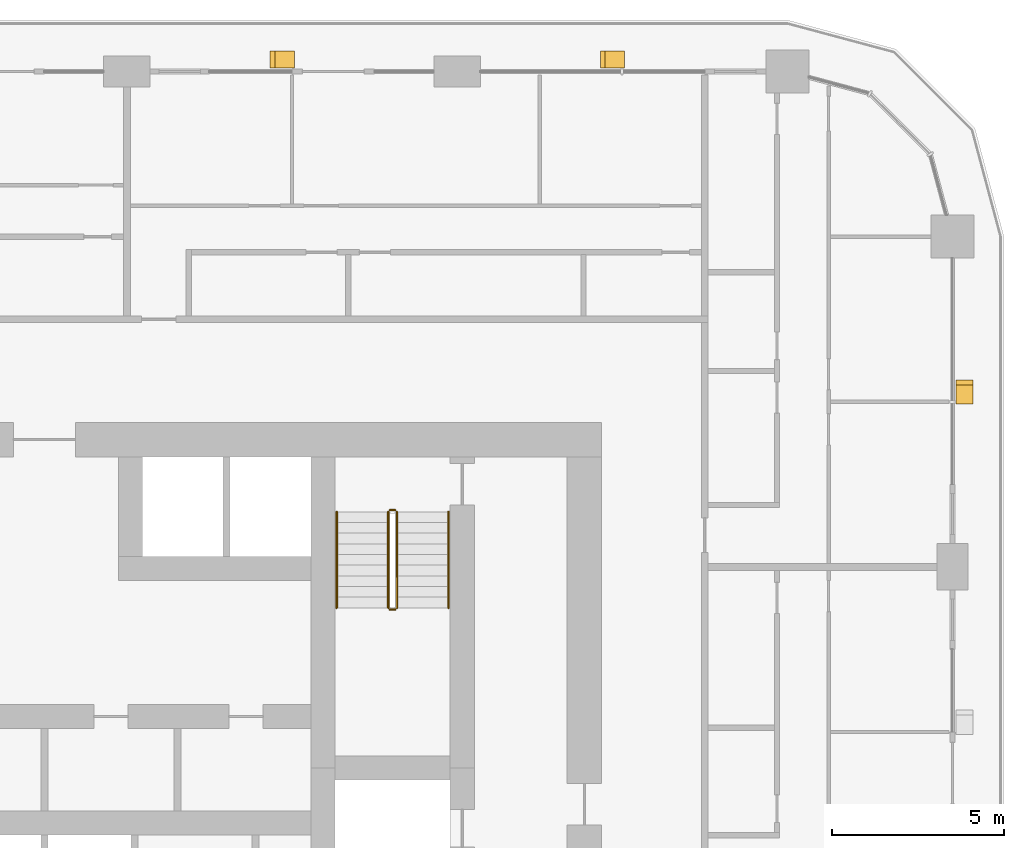
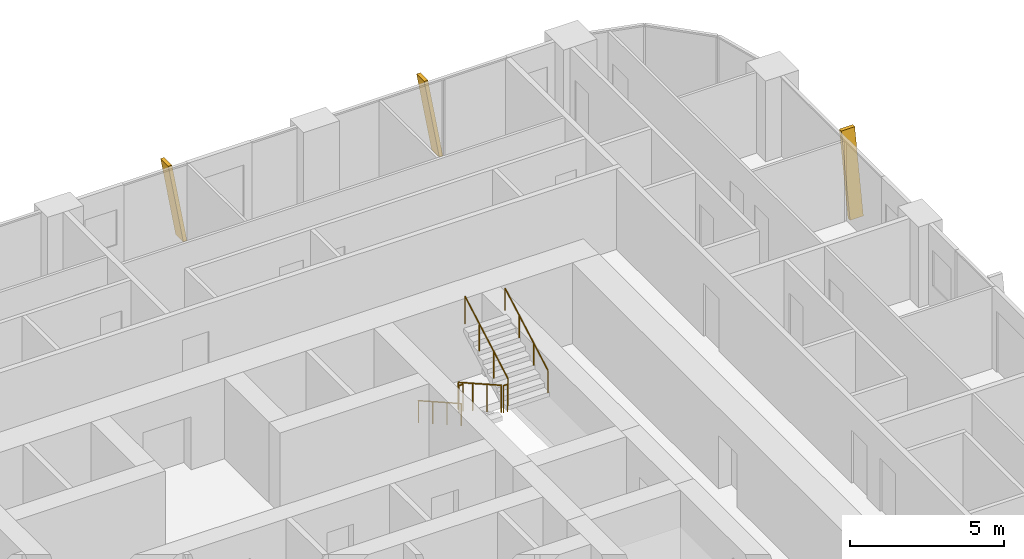
# One storey, part 21 of 21: 6 railings, 3 shading devices.
"""IFC4 building model written with IfcOpenShell, lengths in metres."""

import ifcopenshell
import ifcopenshell.guid

model = None  # the IFC model being written
_history = None  # IfcOwnerHistory: only IFC2X3 demands one
_inside = {}  # id of a spatial element -> (the spatial element, [elements in it])
_under = {}  # id of a project, library or spatial element -> (it, [spatial elements below it])
_declared = {}  # id of a project -> (the project, [libraries it declares])
_typed = {}  # id of a type object -> (the type object, [elements of that type])
_made_of = {}  # id of a material, layer set ... -> (it, [elements and type objects made of it])


def new_model(schema):
    """Start an empty IFC model of exactly this schema.

    Asked for "IFC4X3", IfcOpenShell would pick the latest addendum, in which some entities
    have other attributes; the version numbers below select the first issue.
    IFC2X3 requires an IfcOwnerHistory on every rooted entity: one is made here for all.
    """
    global model, _history
    if schema == "IFC4X3":
        model = ifcopenshell.file(schema_version=(4, 3, 0, 0))
    else:
        model = ifcopenshell.file(schema=schema)
    _inside.clear()
    _under.clear()
    _declared.clear()
    _typed.clear()
    _made_of.clear()
    _history = None
    if model.schema == "IFC2X3":
        org = make("IfcOrganization", Name="unknown")
        user = make(
            "IfcPersonAndOrganization",
            ThePerson=make("IfcPerson", FamilyName="unknown"),
            TheOrganization=org,
        )
        app = make(
            "IfcApplication",
            ApplicationDeveloper=org,
            Version="unknown",
            ApplicationFullName="unknown",
            ApplicationIdentifier="unknown",
        )
        _history = make(
            "IfcOwnerHistory",
            OwningUser=user,
            OwningApplication=app,
            ChangeAction="ADDED",
            CreationDate=0,
        )
    return model


def make(cls, **values):
    """One entity of the class cls with the attributes given. An attribute that is None is left unset."""
    return model.create_entity(
        cls, **{name: value for name, value in values.items() if value is not None}
    )


def rooted(cls, **values):
    """An entity with a GlobalId (a new one), such as an element, a storey or a relation."""
    return make(cls, GlobalId=ifcopenshell.guid.new(), OwnerHistory=_history, **values)


def si_unit(unit_type, name, prefix=None):
    """IfcSIUnit, for example si_unit("LENGTHUNIT", "METRE", prefix="MILLI")."""
    return make("IfcSIUnit", UnitType=unit_type, Prefix=prefix, Name=name)


def assignment(units):
    """IfcUnitAssignment: the units of a project."""
    return None if units is None else make("IfcUnitAssignment", Units=units)


def point(xyz):
    """IfcCartesianPoint."""
    return None if xyz is None else make("IfcCartesianPoint", Coordinates=xyz)


def direction(xyz):
    """IfcDirection."""
    return None if xyz is None else make("IfcDirection", DirectionRatios=xyz)


def frame(location, z_axis=None, x_axis=None):
    """IfcAxis2Placement3D, a coordinate frame: its origin and axes. An axis left out is left unset."""
    return make(
        "IfcAxis2Placement3D",
        Location=point(location),
        Axis=direction(z_axis),
        RefDirection=direction(x_axis),
    )


def frame_2d(location, x_axis=None):
    """IfcAxis2Placement2D, a coordinate frame in the plane: its origin and x axis."""
    return make(
        "IfcAxis2Placement2D", Location=point(location), RefDirection=direction(x_axis)
    )


def origin():
    """The frame at (0, 0, 0) with its axes left unset."""
    return frame((0.0, 0.0, 0.0))


def origin_2d():
    """The frame at (0, 0) in the plane with its x axis left unset."""
    return frame_2d((0.0, 0.0))


def place(relative_to, where):
    """IfcLocalPlacement: puts the frame where relative to a parent placement (None: the world)."""
    return make(
        "IfcLocalPlacement", PlacementRelTo=relative_to, RelativePlacement=where
    )


def context(
    kind, dimensions, precision=None, world=None, true_north=None, identifier=None
):
    """IfcGeometricRepresentationContext, for example the 3D "Model" context."""
    return make(
        "IfcGeometricRepresentationContext",
        ContextIdentifier=identifier,
        ContextType=kind,
        CoordinateSpaceDimension=dimensions,
        Precision=precision,
        WorldCoordinateSystem=world,
        TrueNorth=true_north,
    )


def subcontext(parent, identifier, kind, view, scale=None):
    """IfcGeometricRepresentationSubContext, for example "Body" below "Model"."""
    return make(
        "IfcGeometricRepresentationSubContext",
        ContextIdentifier=identifier,
        ContextType=kind,
        ParentContext=parent,
        TargetScale=scale,
        TargetView=view,
    )


def project(units=None, contexts=None):
    """IfcProject with its units and contexts."""
    return rooted(
        "IfcProject",
        Name="project",
        RepresentationContexts=contexts,
        UnitsInContext=assignment(units),
    )


def spatial(cls, under=None, at=None, **own):
    """A site, building, storey or space (cls), placed at a placement, below another one or the project."""
    s = rooted(cls, ObjectPlacement=at, **own)
    if under is not None:
        _under.setdefault(under.id(), (under, []))[1].append(s)
    return s


def polyline(points):
    """IfcPolyline through the points."""
    return make("IfcPolyline", Points=[point(p) for p in points])


def profile(cls, at=None, kind="AREA", **sizes):
    """A parametric profile (cls). Its sizes go by their IFC names, for example OverallWidth=200.0."""
    return make(cls, ProfileType=kind, Position=at, **sizes)


def circle(**sizes):
    """IfcCircleProfileDef."""
    return profile("IfcCircleProfileDef", **sizes)


def outline(outer, holes=None, kind="AREA"):
    """IfcArbitraryClosedProfileDef: a profile drawn as a closed curve; with holes, ...WithVoids."""
    if holes is None:
        return make("IfcArbitraryClosedProfileDef", ProfileType=kind, OuterCurve=outer)
    return make(
        "IfcArbitraryProfileDefWithVoids",
        ProfileType=kind,
        OuterCurve=outer,
        InnerCurves=holes,
    )


def extrude(swept, where, along, depth):
    """IfcExtrudedAreaSolid: the profile swept, set in the frame where, extruded along a direction by depth."""
    return make(
        "IfcExtrudedAreaSolid",
        SweptArea=swept,
        Position=where,
        ExtrudedDirection=direction(along),
        Depth=depth,
    )


def shape(context_of_items, identifier, shape_type, items):
    """IfcShapeRepresentation: the items that make up one representation, for example the "Body"."""
    return make(
        "IfcShapeRepresentation",
        ContextOfItems=context_of_items,
        RepresentationIdentifier=identifier,
        RepresentationType=shape_type,
        Items=items,
    )


def material(Name=None, Category=None):
    """IfcMaterial."""
    return make("IfcMaterial", Name=Name, Category=Category)


def made_of(thing, what):
    """Note that an element or type object is made of a material, layer set ...; save() writes the relation."""
    if what is not None:
        _made_of.setdefault(what.id(), (what, []))[1].append(thing)
    return thing


def type_object(cls, material=None, **own):
    """A type object (cls), such as IfcWallType, which elements share."""
    return made_of(rooted(cls, **own), material)


def element(
    cls,
    number,
    at=None,
    inside=None,
    cuts=None,
    type_object=None,
    material=None,
    context=None,
    identifier="Body",
    shape_type=None,
    held_by="IfcProductDefinitionShape",
    body=None,
    shapes=None,
    **own,
):
    """One element of the class cls, such as IfcWall. Its Tag is "e" and its number.

    at: its placement. inside: the storey or other place that contains it. cuts: it is an
    opening in that element (IfcRelVoidsElement). A single representation is given by context,
    identifier, shape_type and body (its items); several are given by shapes. held_by: the class
    of the entity that holds the representations. save() writes the other relations.
    """
    e = rooted(cls, Tag="e%d" % number, ObjectPlacement=at, **own)
    if body is not None:
        shapes = [shape(context, identifier, shape_type, body)]
    if shapes is not None:
        e.Representation = make(held_by, Representations=shapes)
    if inside is not None:
        _inside.setdefault(inside.id(), (inside, []))[1].append(e)
    if cuts is not None:
        rooted(
            "IfcRelVoidsElement", RelatingBuildingElement=cuts, RelatedOpeningElement=e
        )
    if type_object is not None:
        _typed.setdefault(type_object.id(), (type_object, []))[1].append(e)
    return made_of(e, material)


def aggregate(whole, parts):
    """IfcRelAggregates: a whole, such as a stair, and the parts it consists of."""
    return rooted("IfcRelAggregates", RelatingObject=whole, RelatedObjects=parts)


def save(model, path):
    """Write the relations noted so far, then the file.

    IfcRelAggregates (storeys below a building ...), IfcRelContainedInSpatialStructure (elements
    in a storey), IfcRelDefinesByType, IfcRelAssociatesMaterial and IfcRelDeclares: one each for
    every whole, place, type object, material and project.
    """
    for whole, parts in _under.values():
        aggregate(whole, parts)
    for where, things in _inside.values():
        rooted(
            "IfcRelContainedInSpatialStructure",
            RelatedElements=things,
            RelatingStructure=where,
        )
    for kind, things in _typed.values():
        rooted("IfcRelDefinesByType", RelatedObjects=things, RelatingType=kind)
    for what, things in _made_of.values():
        rooted("IfcRelAssociatesMaterial", RelatedObjects=things, RelatingMaterial=what)
    for by, libraries in _declared.values():
        rooted("IfcRelDeclares", RelatingContext=by, RelatedDefinitions=libraries)
    model.write(path)


model = new_model("IFC4")

# Units and contexts
model_context = context("Model", 3, precision=1e-05, world=origin(), true_north=direction((0.0, 1.0)))
body_context = subcontext(model_context, "Body", "Model", "MODEL_VIEW")
ifc_project = project(units=[si_unit("LENGTHUNIT", "METRE"), si_unit("AREAUNIT", "SQUARE_METRE"), si_unit("VOLUMEUNIT", "CUBIC_METRE"), si_unit("PLANEANGLEUNIT", "RADIAN"), si_unit("MASSUNIT", "GRAM", prefix="KILO")], contexts=[model_context])

# Site, building, storey
site_placement = place(None, origin())
site = spatial("IfcSite", under=ifc_project, at=site_placement, CompositionType="ELEMENT")
building_placement = place(site_placement, origin())
building = spatial("IfcBuilding", under=site, at=building_placement, Name="Madar Terraces", CompositionType="ELEMENT")
storey_placement = place(building_placement, frame((0.0, 0.0, 46.89990234375)))
storey = spatial("IfcBuildingStorey", under=building, at=storey_placement, Name="L11", CompositionType="ELEMENT", Elevation=46.89990234375)

# Shading devices
ifc_material_1 = material(Name="Aluminium, black anodised", Category="aluminium")
shading_device_type = type_object("IfcShadingDeviceType", Name="Facade fin blade 140 x 500", PredefinedType="USERDEFINED", material=ifc_material_1)
shading_device_1_placement = place(storey_placement, frame((57.949951171875, 38.330078125, 0.0), z_axis=(0.0, 0.0, 1.0), x_axis=(0.0, 1.0, 0.0)))
element("IfcShadingDevice", 1, at=shading_device_1_placement, inside=storey, type_object=shading_device_type, Name="FIN L11 E4", ObjectType="FIN", PredefinedType="USERDEFINED", context=body_context, shape_type="SweptSolid", body=[
    extrude(outline(polyline([(0.0, 0.0), (0.139892578125, 0.0), (0.704345703125, 3.2001953125), (0.564208984375, 3.2001953125), (0.0, 0.0)])), frame((0.0, 0.25, 0.0), z_axis=(0.0, -1.0, 0.0), x_axis=(1.0, 0.0, 0.0)), (0.0, 0.0, 1.0), 0.5),
])
shading_device_2_placement = place(storey_placement, frame((48.070068359375, 48.35009765625, 0.0), z_axis=(0.0, 0.0, 1.0), x_axis=(-1.0, 0.0, 0.0)))
element("IfcShadingDevice", 2, at=shading_device_2_placement, inside=storey, type_object=shading_device_type, Name="FIN L11 N1", ObjectType="FIN", PredefinedType="USERDEFINED", context=body_context, shape_type="SweptSolid", body=[
    extrude(outline(polyline([(0.0, 0.0), (0.14013671875, 0.0), (0.704345703125, 3.2001953125), (0.564208984375, 3.2001953125), (0.0, 0.0)])), frame((0.0, 0.25, 0.0), z_axis=(0.0, -1.0, 0.0), x_axis=(1.0, 0.0, 0.0)), (0.0, 0.0, 1.0), 0.5),
])
shading_device_3_placement = place(storey_placement, frame((38.469970703125, 48.35009765625, 0.0), z_axis=(0.0, 0.0, 1.0), x_axis=(-1.0, 0.0, 0.0)))
element("IfcShadingDevice", 3, at=shading_device_3_placement, inside=storey, type_object=shading_device_type, Name="FIN L11 N2", ObjectType="FIN", PredefinedType="USERDEFINED", context=body_context, shape_type="SweptSolid", body=[
    extrude(outline(polyline([(0.0, 0.0), (0.139892578125, 0.0), (0.704345703125, 3.2001953125), (0.564208984375, 3.2001953125), (0.0, 0.0)])), frame((0.0, 0.25, 0.0), z_axis=(0.0, -1.0, 0.0), x_axis=(1.0, 0.0, 0.0)), (0.0, 0.0, 1.0), 0.5),
])

# Railings
ifc_material_2 = material(Name="Stainless steel railing", Category="steel")
railing_type_1 = type_object("IfcRailingType", Name="Stair guard 1100", PredefinedType="GUARDRAIL", material=ifc_material_2)
railing_1_placement = place(storey_placement, frame((41.199951171875, 35.199951171875, 0.175048828125)))
element("IfcRailing", 4, at=railing_1_placement, inside=storey, type_object=railing_type_1, Name="L11 ST2 stair guard 1", PredefinedType="GUARDRAIL", context=body_context, shape_type="SweptSolid", body=[
    extrude(circle(Radius=0.02392578125, at=origin_2d()), frame((0.0, 0.0, 1.076171875), z_axis=(0.0, -0.870833779661, 0.491577591232), x_axis=(1.0, 0.0, 0.0)), (0.0, 0.0, 1.0), 3.203857421875),
    extrude(circle(Radius=0.02099609375, at=origin_2d()), origin(), (0.0, 0.0, 1.0), 1.052001953125),
    extrude(circle(Radius=0.02099609375, at=origin_2d()), frame((0.0, -0.929931640625, 0.52490234375)), (0.0, 0.0, 1.0), 1.052001953125),
    extrude(circle(Radius=0.02099609375, at=origin_2d()), frame((0.0, -1.860107421875, 1.050048828125)), (0.0, 0.0, 1.0), 1.052001953125),
    extrude(circle(Radius=0.02099609375, at=origin_2d()), frame((0.0, -2.7900390625, 1.574951171875)), (0.0, 0.0, 1.0), 1.052001953125),
])
railing_2_placement = place(storey_placement, frame((41.25, 32.360107421875, 1.75)))
element("IfcRailing", 5, at=railing_2_placement, inside=storey, type_object=railing_type_1, Name="L11 ST2 stair guard 2", PredefinedType="GUARDRAIL", context=body_context, shape_type="SweptSolid", body=[
    extrude(circle(Radius=0.02392578125, at=origin_2d()), frame((0.0, 0.0, 1.076171875), z_axis=(1.0, 0.0, 0.0), x_axis=(0.0, 1.0, 0.0)), (0.0, 0.0, 1.0), 0.14990234375),
    extrude(circle(Radius=0.02099609375, at=origin_2d()), origin(), (0.0, 0.0, 1.0), 1.052001953125),
    extrude(circle(Radius=0.02099609375, at=origin_2d()), frame((0.14990234375, 0.0, 0.0)), (0.0, 0.0, 1.0), 1.052001953125),
])
railing_3_placement = place(storey_placement, frame((41.449951171875, 32.409912109375, 1.925048828125)))
element("IfcRailing", 6, at=railing_3_placement, inside=storey, type_object=railing_type_1, Name="L11 ST2 stair guard 3", PredefinedType="GUARDRAIL", context=body_context, shape_type="SweptSolid", body=[
    extrude(circle(Radius=0.02392578125, at=origin_2d()), frame((0.0, 0.0, 1.076171875), z_axis=(0.0, 0.870833779661, 0.491577591232), x_axis=(-1.0, 0.0, 0.0)), (0.0, 0.0, 1.0), 3.203857421875),
    extrude(circle(Radius=0.02099609375, at=origin_2d()), origin(), (0.0, 0.0, 1.0), 1.052001953125),
    extrude(circle(Radius=0.02099609375, at=origin_2d()), frame((0.0, 0.929931640625, 0.52490234375)), (0.0, 0.0, 1.0), 1.052001953125),
    extrude(circle(Radius=0.02099609375, at=origin_2d()), frame((0.0, 1.860107421875, 1.050048828125)), (0.0, 0.0, 1.0), 1.052001953125),
    extrude(circle(Radius=0.02099609375, at=origin_2d()), frame((0.0, 2.7900390625, 1.574951171875)), (0.0, 0.0, 1.0), 1.052001953125),
])
railing_4_placement = place(storey_placement, frame((41.25, 35.25, 0.0)))
element("IfcRailing", 7, at=railing_4_placement, inside=storey, type_object=railing_type_1, Name="L11 ST2 stair guard 4", PredefinedType="GUARDRAIL", context=body_context, shape_type="SweptSolid", body=[
    extrude(circle(Radius=0.02392578125, at=origin_2d()), frame((0.0, 0.0, 1.076171875), z_axis=(1.0, 0.0, 0.0), x_axis=(0.0, 1.0, 0.0)), (0.0, 0.0, 1.0), 0.14990234375),
    extrude(circle(Radius=0.02099609375, at=origin_2d()), origin(), (0.0, 0.0, 1.0), 1.052001953125),
    extrude(circle(Radius=0.02099609375, at=origin_2d()), frame((0.14990234375, 0.0, 0.0)), (0.0, 0.0, 1.0), 1.052001953125),
])
ifc_material_3 = material(Name="Stainless steel railing", Category="steel")
railing_type_2 = type_object("IfcRailingType", Name="Stair handrail 900", PredefinedType="HANDRAIL", material=ifc_material_3)
railing_5_placement = place(storey_placement, frame((39.699951171875, 35.199951171875, 0.175048828125)))
element("IfcRailing", 8, at=railing_5_placement, inside=storey, type_object=railing_type_2, Name="L11 ST2 stair handrail 1", PredefinedType="HANDRAIL", context=body_context, shape_type="SweptSolid", body=[
    extrude(circle(Radius=0.02392578125, at=origin_2d()), frame((0.0, 0.0, 0.8759765625), z_axis=(0.0, -0.870833779661, 0.491577591232), x_axis=(1.0, 0.0, 0.0)), (0.0, 0.0, 1.0), 3.203857421875),
    extrude(circle(Radius=0.02099609375, at=origin_2d()), origin(), (0.0, 0.0, 1.0), 0.851806640625),
    extrude(circle(Radius=0.02099609375, at=origin_2d()), frame((0.0, -0.929931640625, 0.52490234375)), (0.0, 0.0, 1.0), 0.851806640625),
    extrude(circle(Radius=0.02099609375, at=origin_2d()), frame((0.0, -1.860107421875, 1.050048828125)), (0.0, 0.0, 1.0), 0.851806640625),
    extrude(circle(Radius=0.02099609375, at=origin_2d()), frame((0.0, -2.7900390625, 1.574951171875)), (0.0, 0.0, 1.0), 0.851806640625),
])
railing_6_placement = place(storey_placement, frame((42.949951171875, 32.409912109375, 1.925048828125)))
element("IfcRailing", 9, at=railing_6_placement, inside=storey, type_object=railing_type_2, Name="L11 ST2 stair handrail 2", PredefinedType="HANDRAIL", context=body_context, shape_type="SweptSolid", body=[
    extrude(circle(Radius=0.02392578125, at=origin_2d()), frame((0.0, 0.0, 0.8759765625), z_axis=(0.0, 0.870833779661, 0.491577591232), x_axis=(-1.0, 0.0, 0.0)), (0.0, 0.0, 1.0), 3.203857421875),
    extrude(circle(Radius=0.02099609375, at=origin_2d()), origin(), (0.0, 0.0, 1.0), 0.851806640625),
    extrude(circle(Radius=0.02099609375, at=origin_2d()), frame((0.0, 0.929931640625, 0.52490234375)), (0.0, 0.0, 1.0), 0.851806640625),
    extrude(circle(Radius=0.02099609375, at=origin_2d()), frame((0.0, 1.860107421875, 1.050048828125)), (0.0, 0.0, 1.0), 0.851806640625),
    extrude(circle(Radius=0.02099609375, at=origin_2d()), frame((0.0, 2.7900390625, 1.574951171875)), (0.0, 0.0, 1.0), 0.851806640625),
])

save(model, "model.ifc")
